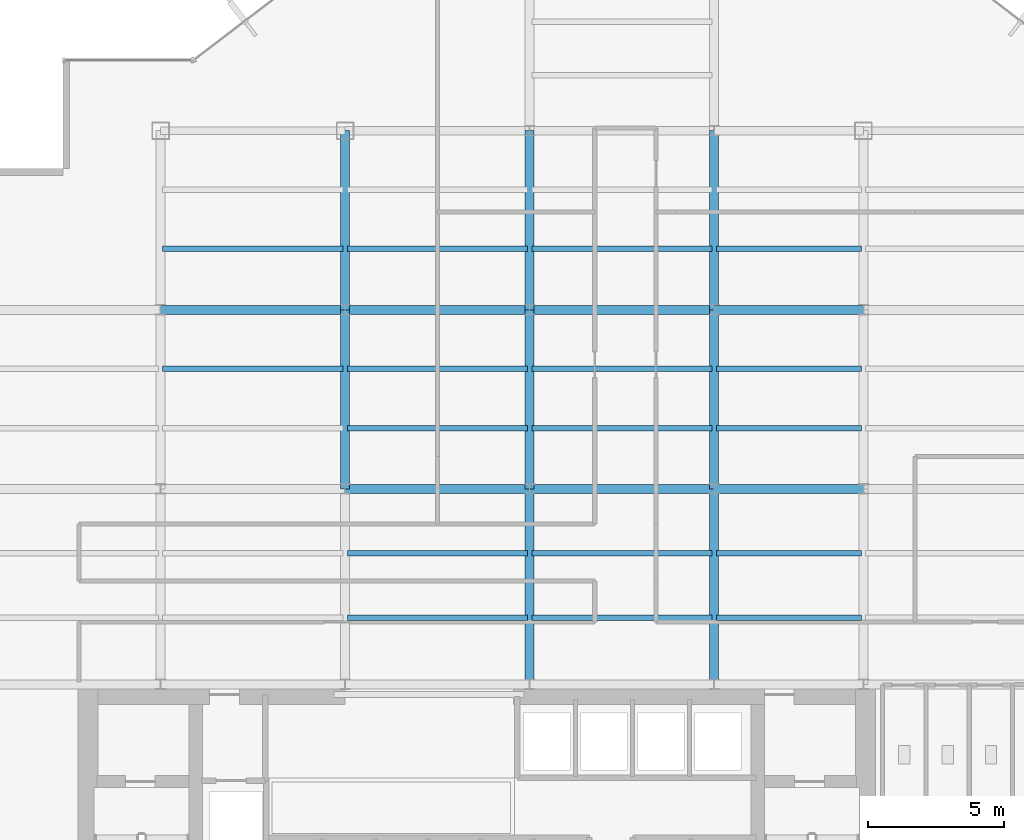
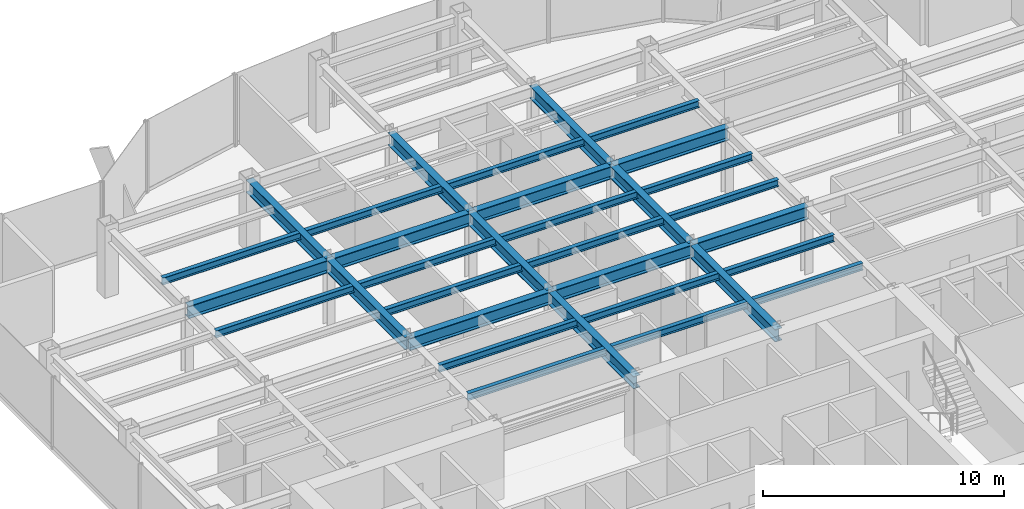
# One storey, part 8 of 25: 32 beams.
"""IFC4 building model written with IfcOpenShell, lengths in metres."""

from ifc_helpers import new_model, si_unit, derived_unit, direction, frame, origin, origin_2d, place, context, subcontext, project, spatial, i_section, extrude, source, transform, mapped, material, material_profile, profile_set, type_object, element, save


model = new_model("IFC4")

# Units and contexts
model_context = context("Model", 3, precision=1e-05, world=origin(), true_north=direction((0.0, 1.0)))
body_context = subcontext(model_context, "Body", "Model", "MODEL_VIEW")
ifc_project = project(units=[si_unit("LENGTHUNIT", "METRE"), si_unit("AREAUNIT", "SQUARE_METRE"), si_unit("VOLUMEUNIT", "CUBIC_METRE"), si_unit("PLANEANGLEUNIT", "RADIAN"), si_unit("MASSUNIT", "GRAM", prefix="KILO"), derived_unit("THERMALTRANSMITTANCEUNIT", [(si_unit("POWERUNIT", "WATT"), 1), (si_unit("LENGTHUNIT", "METRE"), -2), (si_unit("THERMODYNAMICTEMPERATUREUNIT", "KELVIN"), -1)])], contexts=[model_context])

# Site, building, storey
site_placement = place(None, origin())
site = spatial("IfcSite", under=ifc_project, at=site_placement, CompositionType="ELEMENT")
building_placement = place(site_placement, origin())
building = spatial("IfcBuilding", under=site, at=building_placement, Name="Skarnbrae Concourse Arena and Tower", CompositionType="ELEMENT")
storey_placement = place(building_placement, frame((0.0, 0.0, 162.5)))
storey = spatial("IfcBuildingStorey", under=building, at=storey_placement, Name="L41", CompositionType="ELEMENT", Elevation=162.5)

# Beams
ifc_material = material(Name="Steel CSA G40.21 350W", Category="steel")
ifc_material_profile_1 = material_profile(ifc_material, i_section(OverallWidth=0.3291015625, OverallDepth=0.635009765625, WebThickness=0.017822265625, FlangeThickness=0.031005859375, at=origin_2d()), Name="W610X241")
ifc_profile_set_1 = profile_set([ifc_material_profile_1], Name="Steel CSA G40.21 350W")
beam_type_1 = type_object("IfcBeamType", Name="BM-GIRD-W610X241", PredefinedType="BEAM", material=ifc_profile_set_1)
shared_shape_1 = source(origin(), body_context, "Body", "SweptSolid", [
    extrude(i_section(OverallWidth=0.3291015625, OverallDepth=0.635009765625, WebThickness=0.017822265625, FlangeThickness=0.031005859375, at=origin_2d()), origin(), (0.0, 0.0, 1.0), 6.60009765625),
])
for number, where, z_axis, x_axis, name in (
    (1, (14.39990234375, 21.199951171875, 3.08251953125), (0.0, 1.0, 0.0), (-1.0, 0.0, 0.0), "L41 Primary N-S girder X14.4-2"),
    (2, (21.199951171875, 21.199951171875, 3.08251953125), (0.0, 1.0, 0.0), (-1.0, 0.0, 0.0), "L41 Primary N-S girder X21.2-2"),
    (3, (28.0, 21.199951171875, 3.08251953125), (0.0, 1.0, 0.0), (-1.0, 0.0, 0.0), "L41 Primary N-S girder X28.0-2"),
):
    element("IfcBeam", number, at=place(storey_placement, frame(where, z_axis=z_axis, x_axis=x_axis)), inside=storey, type_object=beam_type_1, Name=name, PredefinedType="BEAM", context=body_context, shape_type="MappedRepresentation", body=[
        mapped(shared_shape_1, transform((0.0, 0.0, 0.0))),
    ])
shared_shape_2 = source(origin(), body_context, "Body", "SweptSolid", [
    extrude(i_section(OverallWidth=0.3291015625, OverallDepth=0.635009765625, WebThickness=0.017822265625, FlangeThickness=0.031005859375, at=origin_2d()), origin(), (0.0, 0.0, 1.0), 6.7998046875),
])
beam_placement = place(storey_placement, frame((7.60009765625, 27.800048828125, 3.08251953125), z_axis=(1.0, 0.0, 0.0), x_axis=(0.0, 1.0, 0.0)))
element("IfcBeam", 4, at=beam_placement, inside=storey, type_object=beam_type_1, Name="L41 Primary E-W girder Y27.8-2", PredefinedType="BEAM", context=body_context, shape_type="MappedRepresentation", body=[
    mapped(shared_shape_2, transform((0.0, 0.0, 0.0))),
])
shared_shape_3 = source(origin(), body_context, "Body", "SweptSolid", [
    extrude(i_section(OverallWidth=0.3291015625, OverallDepth=0.635009765625, WebThickness=0.017822265625, FlangeThickness=0.031005859375, at=origin_2d()), origin(), (0.0, 0.0, 1.0), 6.800048828125),
])
for number, where, z_axis, x_axis, name in (
    (5, (14.39990234375, 21.199951171875, 3.08251953125), (1.0, 0.0, 0.0), (0.0, 1.0, 0.0), "L41 Primary E-W girder Y21.2-3"),
    (6, (21.199951171875, 21.199951171875, 3.08251953125), (1.0, 0.0, 0.0), (0.0, 1.0, 0.0), "L41 Primary E-W girder Y21.2-4"),
    (7, (14.39990234375, 27.800048828125, 3.08251953125), (1.0, 0.0, 0.0), (0.0, 1.0, 0.0), "L41 Primary E-W girder Y27.8-3"),
    (8, (21.199951171875, 27.800048828125, 3.08251953125), (1.0, 0.0, 0.0), (0.0, 1.0, 0.0), "L41 Primary E-W girder Y27.8-4"),
):
    element("IfcBeam", number, at=place(storey_placement, frame(where, z_axis=z_axis, x_axis=x_axis)), inside=storey, type_object=beam_type_1, Name=name, PredefinedType="BEAM", context=body_context, shape_type="MappedRepresentation", body=[
        mapped(shared_shape_3, transform((0.0, 0.0, 0.0))),
    ])
shared_shape_4 = source(origin(), body_context, "Body", "SweptSolid", [
    extrude(i_section(OverallWidth=0.3291015625, OverallDepth=0.635009765625, WebThickness=0.017822265625, FlangeThickness=0.031005859375, at=origin_2d()), origin(), (0.0, 0.0, 1.0), 5.5),
])
for number, where, z_axis, x_axis, name in (
    (9, (28.0, 21.199951171875, 3.08251953125), (1.0, 0.0, 0.0), (0.0, 1.0, 0.0), "L41 Primary E-W girder Y21.2-5"),
    (10, (28.0, 27.800048828125, 3.08251953125), (1.0, 0.0, 0.0), (0.0, 1.0, 0.0), "L41 Primary E-W girder Y27.8-5"),
):
    element("IfcBeam", number, at=place(storey_placement, frame(where, z_axis=z_axis, x_axis=x_axis)), inside=storey, type_object=beam_type_1, Name=name, PredefinedType="BEAM", context=body_context, shape_type="MappedRepresentation", body=[
        mapped(shared_shape_4, transform((0.0, 0.0, 0.0))),
    ])
shared_shape_5 = source(origin(), body_context, "Body", "SweptSolid", [
    extrude(i_section(OverallWidth=0.3291015625, OverallDepth=0.635009765625, WebThickness=0.017822265625, FlangeThickness=0.031005859375, at=origin_2d()), origin(), (0.0, 0.0, 1.0), 7.199951171875),
])
for number, where, z_axis, x_axis, name in (
    (11, (21.199951171875, 14.0, 3.08251953125), (0.0, 1.0, 0.0), (-1.0, 0.0, 0.0), "L41 Primary N-S girder X21.2-1"),
    (12, (28.0, 14.0, 3.08251953125), (0.0, 1.0, 0.0), (-1.0, 0.0, 0.0), "L41 Primary N-S girder X28.0-1"),
):
    element("IfcBeam", number, at=place(storey_placement, frame(where, z_axis=z_axis, x_axis=x_axis)), inside=storey, type_object=beam_type_1, Name=name, PredefinedType="BEAM", context=body_context, shape_type="MappedRepresentation", body=[
        mapped(shared_shape_5, transform((0.0, 0.0, 0.0))),
    ])
shared_shape_6 = source(origin(), body_context, "Body", "SweptSolid", [
    extrude(i_section(OverallWidth=0.3291015625, OverallDepth=0.635009765625, WebThickness=0.017822265625, FlangeThickness=0.031005859375, at=origin_2d()), origin(), (0.0, 0.0, 1.0), 6.599853515625),
])
for number, where, z_axis, x_axis, name in (
    (13, (14.39990234375, 27.800048828125, 3.08251953125), (0.0, 1.0, 0.0), (-1.0, 0.0, 0.0), "L41 Primary N-S girder X14.4-3"),
    (14, (21.199951171875, 27.800048828125, 3.08251953125), (0.0, 1.0, 0.0), (-1.0, 0.0, 0.0), "L41 Primary N-S girder X21.2-3"),
    (15, (28.0, 27.800048828125, 3.08251953125), (0.0, 1.0, 0.0), (-1.0, 0.0, 0.0), "L41 Primary N-S girder X28.0-3"),
):
    element("IfcBeam", number, at=place(storey_placement, frame(where, z_axis=z_axis, x_axis=x_axis)), inside=storey, type_object=beam_type_1, Name=name, PredefinedType="BEAM", context=body_context, shape_type="MappedRepresentation", body=[
        mapped(shared_shape_6, transform((0.0, 0.0, 0.0))),
    ])
ifc_material_profile_2 = material_profile(ifc_material, i_section(OverallWidth=0.205078125, OverallDepth=0.35400390625, WebThickness=0.009521484375, FlangeThickness=0.016845703125, at=origin_2d()), Name="W360X79")
ifc_profile_set_2 = profile_set([ifc_material_profile_2], Name="Steel CSA G40.21 350W")
beam_type_2 = type_object("IfcBeamType", Name="BM-JOIST-W360X79", PredefinedType="JOIST", material=ifc_profile_set_2)
shared_shape_7 = source(origin(), body_context, "Body", "SweptSolid", [
    extrude(i_section(OverallWidth=0.205078125, OverallDepth=0.35400390625, WebThickness=0.009521484375, FlangeThickness=0.016845703125, at=origin_2d()), origin(), (0.0, 0.0, 1.0), 6.64013671875),
])
for number, where, z_axis, x_axis, name in (
    (16, (14.47998046875, 16.447998046875, 3.222900390625), (1.0, 0.0, 0.0), (0.0, 1.0, 0.0), "L41 Secondary floor joist 1.1.3"),
    (17, (14.47998046875, 18.823974609375, 3.222900390625), (1.0, 0.0, 0.0), (0.0, 1.0, 0.0), "L41 Secondary floor joist 1.2.3"),
    (18, (14.47998046875, 23.444091796875, 3.222900390625), (1.0, 0.0, 0.0), (0.0, 1.0, 0.0), "L41 Secondary floor joist 2.1.3"),
    (19, (7.679931640625, 25.6220703125, 3.222900390625), (1.0, 0.0, 0.0), (0.0, 1.0, 0.0), "L41 Secondary floor joist 2.2.2"),
    (20, (14.47998046875, 25.6220703125, 3.222900390625), (1.0, 0.0, 0.0), (0.0, 1.0, 0.0), "L41 Secondary floor joist 2.2.3"),
    (21, (7.679931640625, 30.0439453125, 3.222900390625), (1.0, 0.0, 0.0), (0.0, 1.0, 0.0), "L41 Secondary floor joist 3.1.1"),
    (22, (14.47998046875, 30.0439453125, 3.222900390625), (1.0, 0.0, 0.0), (0.0, 1.0, 0.0), "L41 Secondary floor joist 3.1.2"),
):
    element("IfcBeam", number, at=place(storey_placement, frame(where, z_axis=z_axis, x_axis=x_axis)), inside=storey, type_object=beam_type_2, Name=name, PredefinedType="JOIST", context=body_context, shape_type="MappedRepresentation", body=[
        mapped(shared_shape_7, transform((0.0, 0.0, 0.0))),
    ])
shared_shape_8 = source(origin(), body_context, "Body", "SweptSolid", [
    extrude(i_section(OverallWidth=0.205078125, OverallDepth=0.35400390625, WebThickness=0.009521484375, FlangeThickness=0.016845703125, at=origin_2d()), origin(), (0.0, 0.0, 1.0), 6.639892578125),
])
for number, where, z_axis, x_axis, name in (
    (23, (21.280029296875, 16.447998046875, 3.222900390625), (1.0, 0.0, 0.0), (0.0, 1.0, 0.0), "L41 Secondary floor joist 1.1.4"),
    (24, (21.280029296875, 18.823974609375, 3.222900390625), (1.0, 0.0, 0.0), (0.0, 1.0, 0.0), "L41 Secondary floor joist 1.2.4"),
    (25, (21.280029296875, 23.444091796875, 3.222900390625), (1.0, 0.0, 0.0), (0.0, 1.0, 0.0), "L41 Secondary floor joist 2.1.4"),
    (26, (21.280029296875, 25.6220703125, 3.222900390625), (1.0, 0.0, 0.0), (0.0, 1.0, 0.0), "L41 Secondary floor joist 2.2.4"),
    (27, (21.280029296875, 30.0439453125, 3.222900390625), (1.0, 0.0, 0.0), (0.0, 1.0, 0.0), "L41 Secondary floor joist 3.1.3"),
):
    element("IfcBeam", number, at=place(storey_placement, frame(where, z_axis=z_axis, x_axis=x_axis)), inside=storey, type_object=beam_type_2, Name=name, PredefinedType="JOIST", context=body_context, shape_type="MappedRepresentation", body=[
        mapped(shared_shape_8, transform((0.0, 0.0, 0.0))),
    ])
shared_shape_9 = source(origin(), body_context, "Body", "SweptSolid", [
    extrude(i_section(OverallWidth=0.205078125, OverallDepth=0.35400390625, WebThickness=0.009521484375, FlangeThickness=0.016845703125, at=origin_2d()), origin(), (0.0, 0.0, 1.0), 5.33984375),
])
for number, where, z_axis, x_axis, name in (
    (28, (28.080078125, 16.447998046875, 3.222900390625), (1.0, 0.0, 0.0), (0.0, 1.0, 0.0), "L41 Secondary floor joist 1.1.5"),
    (29, (28.080078125, 18.823974609375, 3.222900390625), (1.0, 0.0, 0.0), (0.0, 1.0, 0.0), "L41 Secondary floor joist 1.2.5"),
    (30, (28.080078125, 23.444091796875, 3.222900390625), (1.0, 0.0, 0.0), (0.0, 1.0, 0.0), "L41 Secondary floor joist 2.1.5"),
    (31, (28.080078125, 25.6220703125, 3.222900390625), (1.0, 0.0, 0.0), (0.0, 1.0, 0.0), "L41 Secondary floor joist 2.2.5"),
    (32, (28.080078125, 30.0439453125, 3.222900390625), (1.0, 0.0, 0.0), (0.0, 1.0, 0.0), "L41 Secondary floor joist 3.1.4"),
):
    element("IfcBeam", number, at=place(storey_placement, frame(where, z_axis=z_axis, x_axis=x_axis)), inside=storey, type_object=beam_type_2, Name=name, PredefinedType="JOIST", context=body_context, shape_type="MappedRepresentation", body=[
        mapped(shared_shape_9, transform((0.0, 0.0, 0.0))),
    ])

save(model, "model.ifc")
